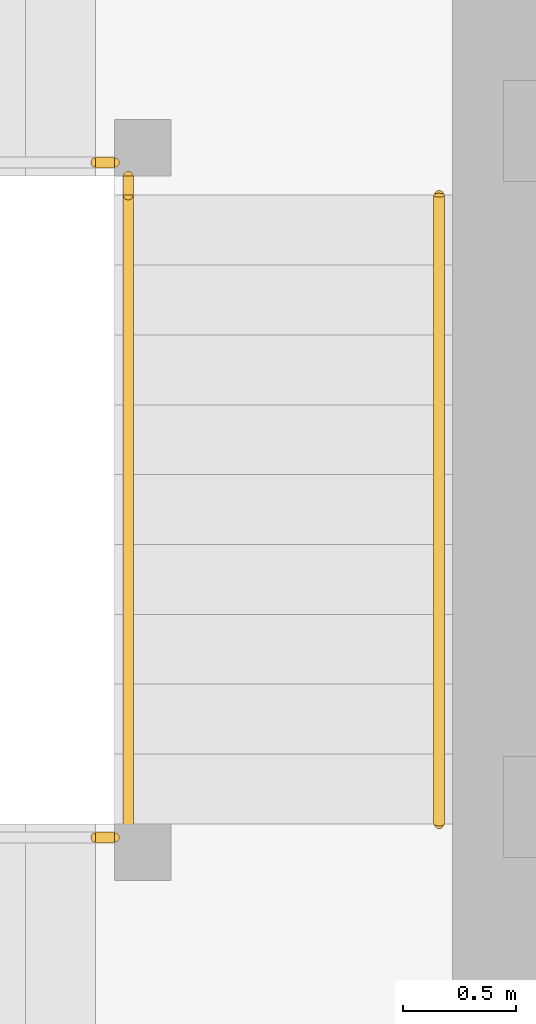
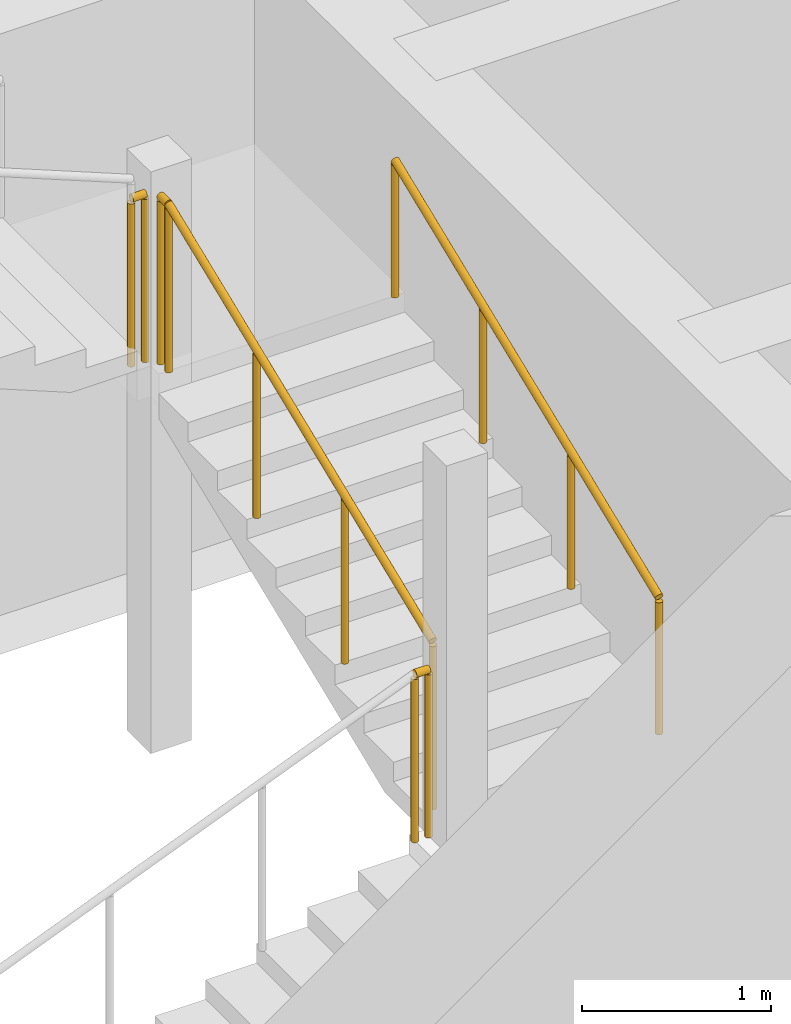
# One storey, part 34 of 40: 5 railings.
"""IFC4 building model written with IfcOpenShell, lengths in metres."""

from ifc_helpers import new_model, si_unit, direction, frame, origin, origin_2d, place, context, subcontext, project, spatial, circle, extrude, material, type_object, element, save


model = new_model("IFC4")

# Units and contexts
model_context = context("Model", 3, precision=1e-05, world=origin(), true_north=direction((0.0, 1.0)))
body_context = subcontext(model_context, "Body", "Model", "MODEL_VIEW")
ifc_project = project(units=[si_unit("LENGTHUNIT", "METRE"), si_unit("AREAUNIT", "SQUARE_METRE"), si_unit("VOLUMEUNIT", "CUBIC_METRE"), si_unit("PLANEANGLEUNIT", "RADIAN"), si_unit("MASSUNIT", "GRAM", prefix="KILO")], contexts=[model_context])

# Site, building, storey
site_placement = place(None, origin())
site = spatial("IfcSite", under=ifc_project, at=site_placement, CompositionType="ELEMENT")
building_placement = place(site_placement, origin())
building = spatial("IfcBuilding", under=site, at=building_placement, Name="Rekha Terrace Tower", CompositionType="ELEMENT")
storey_placement = place(building_placement, frame((0.0, 0.0, 210.199951171875)))
storey = spatial("IfcBuildingStorey", under=building, at=storey_placement, Name="L53", CompositionType="ELEMENT", Elevation=210.199951171875)

# Railings
ifc_material_1 = material(Name="Stainless steel balustrade", Category="steel")
railing_type_1 = type_object("IfcRailingType", Name="GR1 1100 stair guard", PredefinedType="GUARDRAIL", material=ifc_material_1)
railing_1_placement = place(storey_placement, frame((30.135009765625, 41.324951171875, 1.375)))
element("IfcRailing", 1, at=railing_1_placement, inside=storey, type_object=railing_type_1, Name="Guard ST4 L53 flight 2", PredefinedType="GUARDRAIL", context=body_context, shape_type="SweptSolid", body=[
    extrude(circle(Radius=0.02392578125, at=origin_2d()), frame((0.0, 0.0, 1.076171875), z_axis=(0.0, 0.927443287984, 0.373963831907), x_axis=(-1.0, 0.0, 0.0)), (0.0, 0.0, 1.0), 3.00830078125),
    extrude(circle(Radius=0.02099609375, at=origin_2d()), origin(), (0.0, 0.0, 1.0), 1.052001953125),
    extrude(circle(Radius=0.02099609375, at=origin_2d()), frame((0.0, 0.929931640625, 0.375)), (0.0, 0.0, 1.0), 1.052001953125),
    extrude(circle(Radius=0.02099609375, at=origin_2d()), frame((0.0, 1.860107421875, 0.75)), (0.0, 0.0, 1.0), 1.052001953125),
    extrude(circle(Radius=0.02099609375, at=origin_2d()), frame((0.0, 2.7900390625, 1.125)), (0.0, 0.0, 1.0), 1.052001953125),
])
railing_2_placement = place(storey_placement, frame((29.989990234375, 41.264892578125, 1.25)))
element("IfcRailing", 2, at=railing_2_placement, inside=storey, type_object=railing_type_1, Name="Guard ST4 L53 landing 1", PredefinedType="GUARDRAIL", context=body_context, shape_type="SweptSolid", body=[
    extrude(circle(Radius=0.02392578125, at=origin_2d()), frame((0.0, 0.0, 1.076171875), z_axis=(1.0, 0.0, 0.0), x_axis=(0.0, 1.0, 0.0)), (0.0, 0.0, 1.0), 0.0849609375),
    extrude(circle(Radius=0.02099609375, at=origin_2d()), origin(), (0.0, 0.0, 1.0), 1.052001953125),
    extrude(circle(Radius=0.02099609375, at=origin_2d()), frame((0.0849609375, 0.0, 0.0)), (0.0, 0.0, 1.0), 1.052001953125),
])
railing_3_placement = place(storey_placement, frame((30.135009765625, 44.114990234375, 2.5)))
element("IfcRailing", 3, at=railing_3_placement, inside=storey, type_object=railing_type_1, Name="Guard ST4 L53 landing 2", PredefinedType="GUARDRAIL", context=body_context, shape_type="SweptSolid", body=[
    extrude(circle(Radius=0.02392578125, at=origin_2d()), frame((0.0, 0.0, 1.076171875), z_axis=(0.0, 1.0, 0.0), x_axis=(-1.0, 0.0, 0.0)), (0.0, 0.0, 1.0), 0.0849609375),
    extrude(circle(Radius=0.02099609375, at=origin_2d()), origin(), (0.0, 0.0, 1.0), 1.052001953125),
    extrude(circle(Radius=0.02099609375, at=origin_2d()), frame((0.0, 0.0849609375, 0.0)), (0.0, 0.0, 1.0), 1.052001953125),
])
railing_4_placement = place(storey_placement, frame((29.989990234375, 44.260009765625, 2.5)))
element("IfcRailing", 4, at=railing_4_placement, inside=storey, type_object=railing_type_1, Name="Guard ST4 L53 landing 3", PredefinedType="GUARDRAIL", context=body_context, shape_type="SweptSolid", body=[
    extrude(circle(Radius=0.02392578125, at=origin_2d()), frame((0.0, 0.0, 1.076171875), z_axis=(1.0, 0.0, 0.0), x_axis=(0.0, 1.0, 0.0)), (0.0, 0.0, 1.0), 0.0849609375),
    extrude(circle(Radius=0.02099609375, at=origin_2d()), origin(), (0.0, 0.0, 1.0), 1.052001953125),
    extrude(circle(Radius=0.02099609375, at=origin_2d()), frame((0.0849609375, 0.0, 0.0)), (0.0, 0.0, 1.0), 1.052001953125),
])
ifc_material_2 = material(Name="Stainless steel tube", Category="steel")
railing_type_2 = type_object("IfcRailingType", Name="HR1 900 stair handrail", PredefinedType="HANDRAIL", material=ifc_material_2)
railing_5_placement = place(storey_placement, frame((31.514892578125, 41.324951171875, 1.375)))
element("IfcRailing", 5, at=railing_5_placement, inside=storey, type_object=railing_type_2, Name="Handrail ST4 L53 flight 2", PredefinedType="HANDRAIL", context=body_context, shape_type="SweptSolid", body=[
    extrude(circle(Radius=0.02392578125, at=origin_2d()), frame((0.0, 0.0, 0.8759765625), z_axis=(0.0, 0.927443287984, 0.373963831907), x_axis=(-1.0, 0.0, 0.0)), (0.0, 0.0, 1.0), 3.00830078125),
    extrude(circle(Radius=0.02099609375, at=origin_2d()), origin(), (0.0, 0.0, 1.0), 0.851806640625),
    extrude(circle(Radius=0.02099609375, at=origin_2d()), frame((0.0, 0.929931640625, 0.375)), (0.0, 0.0, 1.0), 0.851806640625),
    extrude(circle(Radius=0.02099609375, at=origin_2d()), frame((0.0, 1.860107421875, 0.75)), (0.0, 0.0, 1.0), 0.851806640625),
    extrude(circle(Radius=0.02099609375, at=origin_2d()), frame((0.0, 2.7900390625, 1.125)), (0.0, 0.0, 1.0), 0.851806640625),
])

save(model, "model.ifc")
